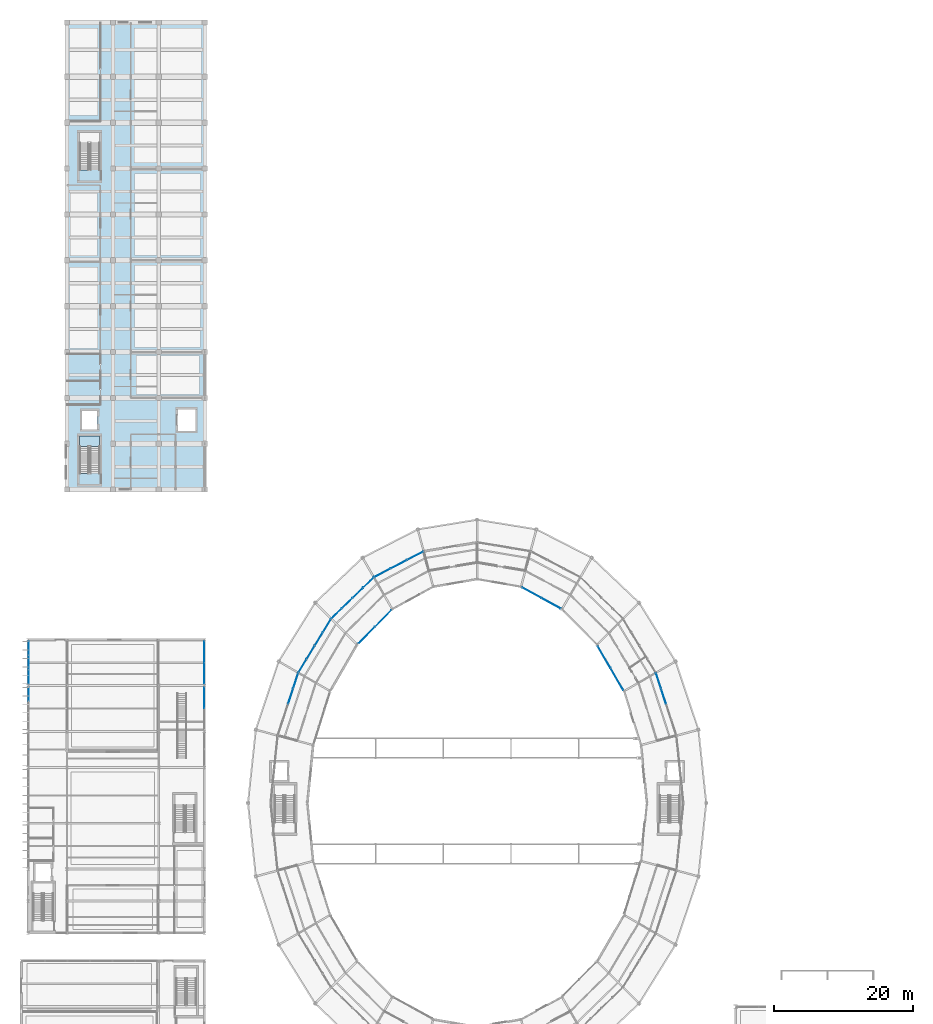
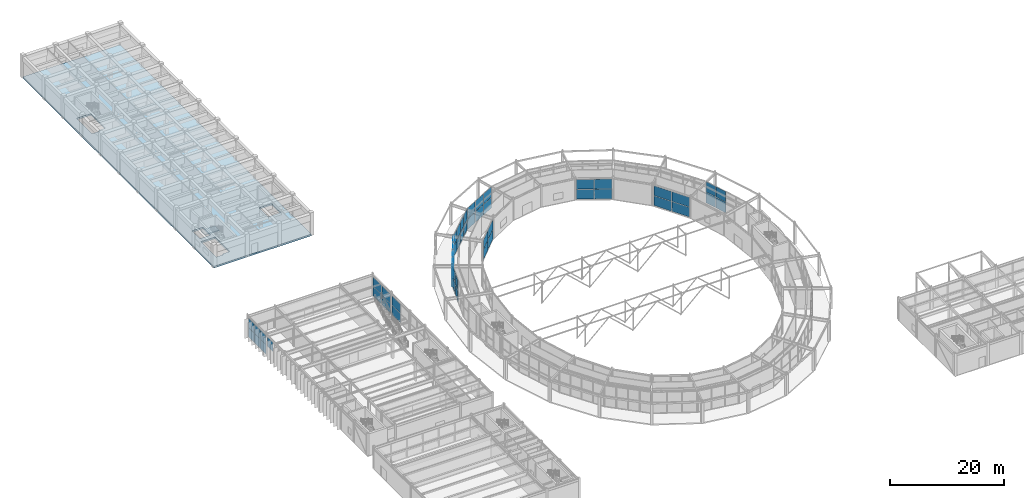
# One storey, part 103 of 144: 55 plates, 2 slabs, 13 elements without a shape of their own.
"""IFC4 building model written with IfcOpenShell, lengths in metres."""

from ifc_helpers import new_model, si_unit, direction, frame, origin, origin_2d, place, context, subcontext, project, spatial, polyline, rectangle, outline, extrude, material, layer, layer_set, type_object, element, aggregate, save


model = new_model("IFC4")

# Units and contexts
model_context = context("Model", 3, precision=1e-05, world=origin(), true_north=direction((0.0, 1.0)))
body_context = subcontext(model_context, "Body", "Model", "MODEL_VIEW")
ifc_project = project(units=[si_unit("LENGTHUNIT", "METRE"), si_unit("AREAUNIT", "SQUARE_METRE"), si_unit("VOLUMEUNIT", "CUBIC_METRE"), si_unit("PLANEANGLEUNIT", "RADIAN"), si_unit("MASSUNIT", "GRAM", prefix="KILO")], contexts=[model_context])

# Site, building, storey
site_placement = place(None, origin())
site = spatial("IfcSite", under=ifc_project, at=site_placement, CompositionType="ELEMENT")
building_placement = place(site_placement, origin())
building = spatial("IfcBuilding", under=site, at=building_placement, Name="Karori Crest Natural Sciences Institute", CompositionType="ELEMENT")
storey_placement = place(building_placement, origin())
storey = spatial("IfcBuildingStorey", under=building, at=storey_placement, Name="L00", CompositionType="ELEMENT", Elevation=0.0)

# Curtain wall, plates
ifc_material_1 = material(Name="Anodised architectural aluminium 6063-T6", Category="aluminium")
curtain_wall_type_1 = type_object("IfcCurtainWallType", Name="CWT-13", PredefinedType="NOTDEFINED", material=ifc_material_1)
curtain_wall_1_placement = place(storey_placement, origin())
curtain_wall_1 = element("IfcCurtainWall", 1, at=curtain_wall_1_placement, inside=storey, type_object=curtain_wall_type_1, Name="Curtain wall CW-0004", PredefinedType="NOTDEFINED")
ifc_material_2 = material(Name="Double low-E laminated glass", Category="glass")
ifc_layer_1 = layer(ifc_material_2, 0.02392578125, Name="Double low-E laminated glass")
ifc_layer_set_1 = layer_set([ifc_layer_1], Name="Double low-E laminated glass")
plate_type_1 = type_object("IfcPlateType", Name="CWP-01", PredefinedType="CURTAIN_PANEL", material=ifc_layer_set_1)
plate_1_placement = place(storey_placement, frame((86.525390625, 67.7294921875, 0.06005859375), z_axis=(0.0, 0.0, 1.0), x_axis=(-0.502659683982, 0.864484379326, 0.0)))
plate_1 = element("IfcPlate", 2, at=plate_1_placement, type_object=plate_type_1, Name="CW-0004 panel 1.1", PredefinedType="CURTAIN_PANEL", context=body_context, shape_type="SweptSolid", body=[
    extrude(rectangle(XDim=3.602294921875, YDim=0.02392578125, at=origin_2d()), origin(), (0.0, 0.0, 1.0), 2.0849609375),
])
plate_2_placement = place(storey_placement, frame((86.525390625, 67.7294921875, 2.205078125), z_axis=(0.0, 0.0, 1.0), x_axis=(-0.502659683982, 0.864484379326, 0.0)))
plate_2 = element("IfcPlate", 3, at=plate_2_placement, type_object=plate_type_1, Name="CW-0004 panel 1.2", PredefinedType="CURTAIN_PANEL", context=body_context, shape_type="SweptSolid", body=[
    extrude(rectangle(XDim=3.602294921875, YDim=0.02392578125, at=origin_2d()), origin(), (0.0, 0.0, 1.0), 2.0849609375),
])
plate_3_placement = place(storey_placement, frame((84.68212890625, 70.899658203125, 0.06005859375), z_axis=(0.0, 0.0, 1.0), x_axis=(-0.502659683982, 0.864484379326, 0.0)))
plate_3 = element("IfcPlate", 4, at=plate_3_placement, type_object=plate_type_1, Name="CW-0004 panel 2.1", PredefinedType="CURTAIN_PANEL", context=body_context, shape_type="SweptSolid", body=[
    extrude(rectangle(XDim=3.602294921875, YDim=0.02392578125, at=origin_2d()), origin(), (0.0, 0.0, 1.0), 2.0849609375),
])
plate_4_placement = place(storey_placement, frame((84.68212890625, 70.899658203125, 2.205078125), z_axis=(0.0, 0.0, 1.0), x_axis=(-0.502659683982, 0.864484379326, 0.0)))
plate_4 = element("IfcPlate", 5, at=plate_4_placement, type_object=plate_type_1, Name="CW-0004 panel 2.2", PredefinedType="CURTAIN_PANEL", context=body_context, shape_type="SweptSolid", body=[
    extrude(rectangle(XDim=3.602294921875, YDim=0.02392578125, at=origin_2d()), origin(), (0.0, 0.0, 1.0), 2.0849609375),
])
aggregate(curtain_wall_1, [plate_1, plate_2, plate_3, plate_4])

curtain_wall_type_2 = type_object("IfcCurtainWallType", Name="CWT-15", PredefinedType="NOTDEFINED", material=ifc_material_1)
curtain_wall_2_placement = place(storey_placement, origin())
curtain_wall_2 = element("IfcCurtainWall", 6, at=curtain_wall_2_placement, inside=storey, type_object=curtain_wall_type_2, Name="Curtain wall CW-0007", PredefinedType="NOTDEFINED")
plate_5_placement = place(storey_placement, frame((77.031005859375, 78.6435546875, 0.06005859375), z_axis=(0.0, 0.0, 1.0), x_axis=(-0.877463514084, 0.479643389875, 0.0)))
plate_5 = element("IfcPlate", 7, at=plate_5_placement, type_object=plate_type_1, Name="CW-0007 panel 1.1", PredefinedType="CURTAIN_PANEL", context=body_context, shape_type="SweptSolid", body=[
    extrude(rectangle(XDim=3.102783203125, YDim=0.02392578125, at=origin_2d()), origin(), (0.0, 0.0, 1.0), 2.0849609375),
])
plate_6_placement = place(storey_placement, frame((77.031005859375, 78.6435546875, 2.205078125), z_axis=(0.0, 0.0, 1.0), x_axis=(-0.877463514084, 0.479643389875, 0.0)))
plate_6 = element("IfcPlate", 8, at=plate_6_placement, type_object=plate_type_1, Name="CW-0007 panel 1.2", PredefinedType="CURTAIN_PANEL", context=body_context, shape_type="SweptSolid", body=[
    extrude(rectangle(XDim=3.102783203125, YDim=0.02392578125, at=origin_2d()), origin(), (0.0, 0.0, 1.0), 2.0849609375),
])
plate_7_placement = place(storey_placement, frame((74.25146484375, 80.1630859375, 0.06005859375), z_axis=(0.0, 0.0, 1.0), x_axis=(-0.877463514084, 0.479643389875, 0.0)))
plate_7 = element("IfcPlate", 9, at=plate_7_placement, type_object=plate_type_1, Name="CW-0007 panel 2.1", PredefinedType="CURTAIN_PANEL", context=body_context, shape_type="SweptSolid", body=[
    extrude(rectangle(XDim=3.102783203125, YDim=0.02392578125, at=origin_2d()), origin(), (0.0, 0.0, 1.0), 2.0849609375),
])
plate_8_placement = place(storey_placement, frame((74.25146484375, 80.1630859375, 2.205078125), z_axis=(0.0, 0.0, 1.0), x_axis=(-0.877463514084, 0.479643389875, 0.0)))
plate_8 = element("IfcPlate", 10, at=plate_8_placement, type_object=plate_type_1, Name="CW-0007 panel 2.2", PredefinedType="CURTAIN_PANEL", context=body_context, shape_type="SweptSolid", body=[
    extrude(rectangle(XDim=3.102783203125, YDim=0.02392578125, at=origin_2d()), origin(), (0.0, 0.0, 1.0), 2.0849609375),
])
aggregate(curtain_wall_2, [plate_5, plate_6, plate_7, plate_8])

curtain_wall_type_3 = type_object("IfcCurtainWallType", Name="CWT-14", PredefinedType="NOTDEFINED", material=ifc_material_1)
curtain_wall_3_placement = place(storey_placement, origin())
curtain_wall_3 = element("IfcCurtainWall", 11, at=curtain_wall_3_placement, inside=storey, type_object=curtain_wall_type_3, Name="Curtain wall CW-0011", PredefinedType="NOTDEFINED")
plate_9_placement = place(storey_placement, frame((52.892333984375, 76.4619140625, 0.06005859375), z_axis=(0.0, 0.0, 1.0), x_axis=(-0.70265631089, -0.71152941525, 0.0)))
plate_9 = element("IfcPlate", 12, at=plate_9_placement, type_object=plate_type_1, Name="CW-0011 panel 1.1", PredefinedType="CURTAIN_PANEL", context=body_context, shape_type="SweptSolid", body=[
    extrude(rectangle(XDim=3.322998046875, YDim=0.02392578125, at=origin_2d()), origin(), (0.0, 0.0, 1.0), 2.0849609375),
])
plate_10_placement = place(storey_placement, frame((52.892333984375, 76.4619140625, 2.205078125), z_axis=(0.0, 0.0, 1.0), x_axis=(-0.70265631089, -0.71152941525, 0.0)))
plate_10 = element("IfcPlate", 13, at=plate_10_placement, type_object=plate_type_1, Name="CW-0011 panel 1.2", PredefinedType="CURTAIN_PANEL", context=body_context, shape_type="SweptSolid", body=[
    extrude(rectangle(XDim=3.322998046875, YDim=0.02392578125, at=origin_2d()), origin(), (0.0, 0.0, 1.0), 2.0849609375),
])
plate_11_placement = place(storey_placement, frame((50.51171875, 74.05126953125, 0.06005859375), z_axis=(0.0, 0.0, 1.0), x_axis=(-0.70265631089, -0.71152941525, 0.0)))
plate_11 = element("IfcPlate", 14, at=plate_11_placement, type_object=plate_type_1, Name="CW-0011 panel 2.1", PredefinedType="CURTAIN_PANEL", context=body_context, shape_type="SweptSolid", body=[
    extrude(rectangle(XDim=3.322998046875, YDim=0.02392578125, at=origin_2d()), origin(), (0.0, 0.0, 1.0), 2.0849609375),
])
plate_12_placement = place(storey_placement, frame((50.51171875, 74.05126953125, 2.205078125), z_axis=(0.0, 0.0, 1.0), x_axis=(-0.70265631089, -0.71152941525, 0.0)))
plate_12 = element("IfcPlate", 15, at=plate_12_placement, type_object=plate_type_1, Name="CW-0011 panel 2.2", PredefinedType="CURTAIN_PANEL", context=body_context, shape_type="SweptSolid", body=[
    extrude(rectangle(XDim=3.322998046875, YDim=0.02392578125, at=origin_2d()), origin(), (0.0, 0.0, 1.0), 2.0849609375),
])
aggregate(curtain_wall_3, [plate_9, plate_10, plate_11, plate_12])

curtain_wall_type_4 = type_object("IfcCurtainWallType", Name="CWT-10", PredefinedType="NOTDEFINED", material=ifc_material_1)
curtain_wall_4_placement = place(storey_placement, origin())
curtain_wall_4 = element("IfcCurtainWall", 16, at=curtain_wall_4_placement, inside=storey, type_object=curtain_wall_type_4, Name="Curtain wall CW-0012", PredefinedType="NOTDEFINED")
plate_13_placement = place(storey_placement, frame((41.28662109375, 69.649658203125, 0.06005859375), z_axis=(0.0, 0.0, 1.0), x_axis=(0.519340606905, 0.854567337323, 0.0)))
plate_13 = element("IfcPlate", 17, at=plate_13_placement, type_object=plate_type_1, Name="CW-0012 panel 1.1", PredefinedType="CURTAIN_PANEL", context=body_context, shape_type="SweptSolid", body=[
    extrude(rectangle(XDim=2.149658203125, YDim=0.02392578125, at=origin_2d()), origin(), (0.0, 0.0, 1.0), 2.25),
])
plate_14_placement = place(storey_placement, frame((41.28662109375, 69.649658203125, 2.3701171875), z_axis=(0.0, 0.0, 1.0), x_axis=(0.519340606905, 0.854567337323, 0.0)))
plate_14 = element("IfcPlate", 18, at=plate_14_placement, type_object=plate_type_1, Name="CW-0012 panel 1.2", PredefinedType="CURTAIN_PANEL", context=body_context, shape_type="SweptSolid", body=[
    extrude(rectangle(XDim=2.149658203125, YDim=0.02392578125, at=origin_2d()), origin(), (0.0, 0.0, 1.0), 2.25),
])
plate_15_placement = place(storey_placement, frame((42.45166015625, 71.566650390625, 0.06005859375), z_axis=(0.0, 0.0, 1.0), x_axis=(0.519340606905, 0.854567337323, 0.0)))
plate_15 = element("IfcPlate", 19, at=plate_15_placement, type_object=plate_type_1, Name="CW-0012 panel 2.1", PredefinedType="CURTAIN_PANEL", context=body_context, shape_type="SweptSolid", body=[
    extrude(rectangle(XDim=2.18701171875, YDim=0.02392578125, at=origin_2d()), origin(), (0.0, 0.0, 1.0), 2.25),
])
plate_16_placement = place(storey_placement, frame((42.45166015625, 71.566650390625, 2.3701171875), z_axis=(0.0, 0.0, 1.0), x_axis=(0.519340606905, 0.854567337323, 0.0)))
plate_16 = element("IfcPlate", 20, at=plate_16_placement, type_object=plate_type_1, Name="CW-0012 panel 2.2", PredefinedType="CURTAIN_PANEL", context=body_context, shape_type="SweptSolid", body=[
    extrude(rectangle(XDim=2.18701171875, YDim=0.02392578125, at=origin_2d()), origin(), (0.0, 0.0, 1.0), 2.25),
])
plate_17_placement = place(storey_placement, frame((43.626220703125, 73.499755859375, 0.06005859375), z_axis=(0.0, 0.0, 1.0), x_axis=(0.519340606905, 0.854567337323, 0.0)))
plate_17 = element("IfcPlate", 21, at=plate_17_placement, type_object=plate_type_1, Name="CW-0012 panel 3.1", PredefinedType="CURTAIN_PANEL", context=body_context, shape_type="SweptSolid", body=[
    extrude(rectangle(XDim=2.18701171875, YDim=0.02392578125, at=origin_2d()), origin(), (0.0, 0.0, 1.0), 2.25),
])
plate_18_placement = place(storey_placement, frame((43.626220703125, 73.499755859375, 2.3701171875), z_axis=(0.0, 0.0, 1.0), x_axis=(0.519340606905, 0.854567337323, 0.0)))
plate_18 = element("IfcPlate", 22, at=plate_18_placement, type_object=plate_type_1, Name="CW-0012 panel 3.2", PredefinedType="CURTAIN_PANEL", context=body_context, shape_type="SweptSolid", body=[
    extrude(rectangle(XDim=2.18701171875, YDim=0.02392578125, at=origin_2d()), origin(), (0.0, 0.0, 1.0), 2.25),
])
plate_19_placement = place(storey_placement, frame((44.791259765625, 75.416748046875, 0.06005859375), z_axis=(0.0, 0.0, 1.0), x_axis=(0.519340606905, 0.854567337323, 0.0)))
plate_19 = element("IfcPlate", 23, at=plate_19_placement, type_object=plate_type_1, Name="CW-0012 panel 4.1", PredefinedType="CURTAIN_PANEL", context=body_context, shape_type="SweptSolid", body=[
    extrude(rectangle(XDim=2.149658203125, YDim=0.02392578125, at=origin_2d()), origin(), (0.0, 0.0, 1.0), 2.25),
])
plate_20_placement = place(storey_placement, frame((44.791259765625, 75.416748046875, 2.3701171875), z_axis=(0.0, 0.0, 1.0), x_axis=(0.519340606905, 0.854567337323, 0.0)))
plate_20 = element("IfcPlate", 24, at=plate_20_placement, type_object=plate_type_1, Name="CW-0012 panel 4.2", PredefinedType="CURTAIN_PANEL", context=body_context, shape_type="SweptSolid", body=[
    extrude(rectangle(XDim=2.149658203125, YDim=0.02392578125, at=origin_2d()), origin(), (0.0, 0.0, 1.0), 2.25),
])
aggregate(curtain_wall_4, [plate_13, plate_14, plate_15, plate_16, plate_17, plate_18, plate_19, plate_20])

# Curtain wall, plate
curtain_wall_type_5 = type_object("IfcCurtainWallType", Name="CWT-17", PredefinedType="NOTDEFINED", material=ifc_material_1)
curtain_wall_5_placement = place(storey_placement, origin())
curtain_wall_5 = element("IfcCurtainWall", 25, at=curtain_wall_5_placement, inside=storey, type_object=curtain_wall_type_5, Name="Curtain wall CW-0257", PredefinedType="NOTDEFINED")
plate_21_placement = place(storey_placement, frame((1.860107421875, 65.568359375, 2.1025390625), z_axis=(0.0, 0.0, 1.0), x_axis=(0.0, 1.0, 0.0)))
plate_21 = element("IfcPlate", 26, at=plate_21_placement, type_object=plate_type_1, Name="CW-0257 panel 3.2", PredefinedType="CURTAIN_PANEL", context=body_context, shape_type="SweptSolid", body=[
    extrude(rectangle(XDim=1.987060546875, YDim=0.02392578125, at=origin_2d()), origin(), (0.0, 0.0, 1.0), 1.982421875),
])
aggregate(curtain_wall_5, [plate_21])

# Curtain wall, plates
curtain_wall_6_placement = place(storey_placement, origin())
curtain_wall_6 = element("IfcCurtainWall", 27, at=curtain_wall_6_placement, inside=storey, type_object=curtain_wall_type_5, Name="Curtain wall CW-0258", PredefinedType="NOTDEFINED")
plate_22_placement = place(storey_placement, frame((1.860107421875, 68.031494140625, 0.06005859375), z_axis=(0.0, 0.0, 1.0), x_axis=(0.0, 1.0, 0.0)))
plate_22 = element("IfcPlate", 28, at=plate_22_placement, type_object=plate_type_1, Name="CW-0258 panel 1.1", PredefinedType="CURTAIN_PANEL", context=body_context, shape_type="SweptSolid", body=[
    extrude(rectangle(XDim=1.987060546875, YDim=0.02392578125, at=origin_2d()), origin(), (0.0, 0.0, 1.0), 1.982421875),
])
plate_23_placement = place(storey_placement, frame((1.860107421875, 68.031494140625, 2.1025390625), z_axis=(0.0, 0.0, 1.0), x_axis=(0.0, 1.0, 0.0)))
plate_23 = element("IfcPlate", 29, at=plate_23_placement, type_object=plate_type_1, Name="CW-0258 panel 1.2", PredefinedType="CURTAIN_PANEL", context=body_context, shape_type="SweptSolid", body=[
    extrude(rectangle(XDim=1.987060546875, YDim=0.02392578125, at=origin_2d()), origin(), (0.0, 0.0, 1.0), 1.982421875),
])
plate_24_placement = place(storey_placement, frame((1.860107421875, 70.10009765625, 0.06005859375), z_axis=(0.0, 0.0, 1.0), x_axis=(0.0, 1.0, 0.0)))
plate_24 = element("IfcPlate", 30, at=plate_24_placement, type_object=plate_type_1, Name="CW-0258 panel 2.1", PredefinedType="CURTAIN_PANEL", context=body_context, shape_type="SweptSolid", body=[
    extrude(rectangle(XDim=2.019775390625, YDim=0.02392578125, at=origin_2d()), origin(), (0.0, 0.0, 1.0), 1.982421875),
])
plate_25_placement = place(storey_placement, frame((1.860107421875, 70.10009765625, 2.1025390625), z_axis=(0.0, 0.0, 1.0), x_axis=(0.0, 1.0, 0.0)))
plate_25 = element("IfcPlate", 31, at=plate_25_placement, type_object=plate_type_1, Name="CW-0258 panel 2.2", PredefinedType="CURTAIN_PANEL", context=body_context, shape_type="SweptSolid", body=[
    extrude(rectangle(XDim=2.019775390625, YDim=0.02392578125, at=origin_2d()), origin(), (0.0, 0.0, 1.0), 1.982421875),
])
plate_26_placement = place(storey_placement, frame((1.860107421875, 72.16845703125, 0.06005859375), z_axis=(0.0, 0.0, 1.0), x_axis=(0.0, 1.0, 0.0)))
plate_26 = element("IfcPlate", 32, at=plate_26_placement, type_object=plate_type_1, Name="CW-0258 panel 3.1", PredefinedType="CURTAIN_PANEL", context=body_context, shape_type="SweptSolid", body=[
    extrude(rectangle(XDim=1.987060546875, YDim=0.02392578125, at=origin_2d()), origin(), (0.0, 0.0, 1.0), 1.982421875),
])
plate_27_placement = place(storey_placement, frame((1.860107421875, 72.16845703125, 2.1025390625), z_axis=(0.0, 0.0, 1.0), x_axis=(0.0, 1.0, 0.0)))
plate_27 = element("IfcPlate", 33, at=plate_27_placement, type_object=plate_type_1, Name="CW-0258 panel 3.2", PredefinedType="CURTAIN_PANEL", context=body_context, shape_type="SweptSolid", body=[
    extrude(rectangle(XDim=1.987060546875, YDim=0.02392578125, at=origin_2d()), origin(), (0.0, 0.0, 1.0), 1.982421875),
])
aggregate(curtain_wall_6, [plate_22, plate_23, plate_24, plate_25, plate_26, plate_27])

curtain_wall_type_6 = type_object("IfcCurtainWallType", Name="CWT-18", PredefinedType="NOTDEFINED", material=ifc_material_1)
curtain_wall_7_placement = place(storey_placement, origin())
curtain_wall_7 = element("IfcCurtainWall", 34, at=curtain_wall_7_placement, inside=storey, type_object=curtain_wall_type_6, Name="Curtain wall CW-0260", PredefinedType="NOTDEFINED")
plate_28_placement = place(storey_placement, frame((27.139892578125, 65.04736328125, 0.06005859375), z_axis=(0.0, 0.0, 1.0), x_axis=(0.0, -1.0, 0.0)))
plate_28 = element("IfcPlate", 35, at=plate_28_placement, type_object=plate_type_1, Name="CW-0260 panel 1.1", PredefinedType="CURTAIN_PANEL", context=body_context, shape_type="SweptSolid", body=[
    extrude(rectangle(XDim=3.029541015625, YDim=0.02392578125, at=origin_2d()), origin(), (0.0, 0.0, 1.0), 1.982421875),
])
plate_29_placement = place(storey_placement, frame((27.139892578125, 65.04736328125, 2.1025390625), z_axis=(0.0, 0.0, 1.0), x_axis=(0.0, -1.0, 0.0)))
plate_29 = element("IfcPlate", 36, at=plate_29_placement, type_object=plate_type_1, Name="CW-0260 panel 1.2", PredefinedType="CURTAIN_PANEL", context=body_context, shape_type="SweptSolid", body=[
    extrude(rectangle(XDim=3.029541015625, YDim=0.02392578125, at=origin_2d()), origin(), (0.0, 0.0, 1.0), 1.982421875),
])
aggregate(curtain_wall_7, [plate_28, plate_29])

curtain_wall_8_placement = place(storey_placement, origin())
curtain_wall_8 = element("IfcCurtainWall", 37, at=curtain_wall_8_placement, inside=storey, type_object=curtain_wall_type_6, Name="Curtain wall CW-0261", PredefinedType="NOTDEFINED")
plate_30_placement = place(storey_placement, frame((27.139892578125, 71.647216796875, 0.06005859375), z_axis=(0.0, 0.0, 1.0), x_axis=(0.0, -1.0, 0.0)))
plate_30 = element("IfcPlate", 38, at=plate_30_placement, type_object=plate_type_1, Name="CW-0261 panel 1.1", PredefinedType="CURTAIN_PANEL", context=body_context, shape_type="SweptSolid", body=[
    extrude(rectangle(XDim=3.029541015625, YDim=0.02392578125, at=origin_2d()), origin(), (0.0, 0.0, 1.0), 1.982421875),
])
plate_31_placement = place(storey_placement, frame((27.139892578125, 71.647216796875, 2.1025390625), z_axis=(0.0, 0.0, 1.0), x_axis=(0.0, -1.0, 0.0)))
plate_31 = element("IfcPlate", 39, at=plate_31_placement, type_object=plate_type_1, Name="CW-0261 panel 1.2", PredefinedType="CURTAIN_PANEL", context=body_context, shape_type="SweptSolid", body=[
    extrude(rectangle(XDim=3.029541015625, YDim=0.02392578125, at=origin_2d()), origin(), (0.0, 0.0, 1.0), 1.982421875),
])
plate_32_placement = place(storey_placement, frame((27.139892578125, 68.552734375, 0.06005859375), z_axis=(0.0, 0.0, 1.0), x_axis=(0.0, -1.0, 0.0)))
plate_32 = element("IfcPlate", 40, at=plate_32_placement, type_object=plate_type_1, Name="CW-0261 panel 2.1", PredefinedType="CURTAIN_PANEL", context=body_context, shape_type="SweptSolid", body=[
    extrude(rectangle(XDim=3.029541015625, YDim=0.02392578125, at=origin_2d()), origin(), (0.0, 0.0, 1.0), 1.982421875),
])
plate_33_placement = place(storey_placement, frame((27.139892578125, 68.552734375, 2.1025390625), z_axis=(0.0, 0.0, 1.0), x_axis=(0.0, -1.0, 0.0)))
plate_33 = element("IfcPlate", 41, at=plate_33_placement, type_object=plate_type_1, Name="CW-0261 panel 2.2", PredefinedType="CURTAIN_PANEL", context=body_context, shape_type="SweptSolid", body=[
    extrude(rectangle(XDim=3.029541015625, YDim=0.02392578125, at=origin_2d()), origin(), (0.0, 0.0, 1.0), 1.982421875),
])
aggregate(curtain_wall_8, [plate_30, plate_31, plate_32, plate_33])

curtain_wall_type_7 = type_object("IfcCurtainWallType", Name="CWT-02", PredefinedType="NOTDEFINED", material=ifc_material_1)
curtain_wall_9_placement = place(storey_placement, origin())
curtain_wall_9 = element("IfcCurtainWall", 42, at=curtain_wall_9_placement, inside=storey, type_object=curtain_wall_type_7, Name="Curtain wall CW-0002", PredefinedType="NOTDEFINED")
ifc_layer_2 = layer(ifc_material_2, 0.033935546875, Name="Double low-E laminated glass")
ifc_layer_set_2 = layer_set([ifc_layer_2], Name="Double low-E laminated glass")
plate_type_2 = type_object("IfcPlateType", Name="CWP-02", PredefinedType="CURTAIN_PANEL", material=ifc_layer_set_2)
plate_34_placement = place(storey_placement, frame((92.50244140625, 67.4873046875, 0.06005859375), z_axis=(0.0, 0.0, 1.0), x_axis=(0.311714013584, -0.950175969879, 0.0)))
plate_34 = element("IfcPlate", 43, at=plate_34_placement, type_object=plate_type_2, Name="CW-0002 panel 1.1", PredefinedType="CURTAIN_PANEL", context=body_context, shape_type="SweptSolid", body=[
    extrude(rectangle(XDim=2.257080078125, YDim=0.033935546875, at=origin_2d()), origin(), (0.0, 0.0, 1.0), 2.25),
])
plate_35_placement = place(storey_placement, frame((92.50244140625, 67.4873046875, 2.3701171875), z_axis=(0.0, 0.0, 1.0), x_axis=(0.311714013584, -0.950175969879, 0.0)))
plate_35 = element("IfcPlate", 44, at=plate_35_placement, type_object=plate_type_2, Name="CW-0002 panel 1.2", PredefinedType="CURTAIN_PANEL", context=body_context, shape_type="SweptSolid", body=[
    extrude(rectangle(XDim=2.257080078125, YDim=0.033935546875, at=origin_2d()), origin(), (0.0, 0.0, 1.0), 2.25),
])
plate_36_placement = place(storey_placement, frame((93.235107421875, 65.253662109375, 0.06005859375), z_axis=(0.0, 0.0, 1.0), x_axis=(0.311714013584, -0.950175969879, 0.0)))
plate_36 = element("IfcPlate", 45, at=plate_36_placement, type_object=plate_type_2, Name="CW-0002 panel 2.1", PredefinedType="CURTAIN_PANEL", context=body_context, shape_type="SweptSolid", body=[
    extrude(rectangle(XDim=2.294677734375, YDim=0.033935546875, at=origin_2d()), origin(), (0.0, 0.0, 1.0), 2.25),
])
plate_37_placement = place(storey_placement, frame((93.235107421875, 65.253662109375, 2.3701171875), z_axis=(0.0, 0.0, 1.0), x_axis=(0.311714013584, -0.950175969879, 0.0)))
plate_37 = element("IfcPlate", 46, at=plate_37_placement, type_object=plate_type_2, Name="CW-0002 panel 2.2", PredefinedType="CURTAIN_PANEL", context=body_context, shape_type="SweptSolid", body=[
    extrude(rectangle(XDim=2.294677734375, YDim=0.033935546875, at=origin_2d()), origin(), (0.0, 0.0, 1.0), 2.25),
])
aggregate(curtain_wall_9, [plate_34, plate_35, plate_36, plate_37])

curtain_wall_type_8 = type_object("IfcCurtainWallType", Name="CWT-08", PredefinedType="NOTDEFINED", material=ifc_material_1)
curtain_wall_10_placement = place(storey_placement, origin())
curtain_wall_10 = element("IfcCurtainWall", 47, at=curtain_wall_10_placement, inside=storey, type_object=curtain_wall_type_8, Name="Curtain wall CW-0009", PredefinedType="NOTDEFINED")
plate_38_placement = place(storey_placement, frame((52.772216796875, 83.01513671875, 0.06005859375), z_axis=(0.0, 0.0, 1.0), x_axis=(0.88613575858, 0.46342574094, 0.0)))
plate_38 = element("IfcPlate", 48, at=plate_38_placement, type_object=plate_type_2, Name="CW-0009 panel 1.1", PredefinedType="CURTAIN_PANEL", context=body_context, shape_type="SweptSolid", body=[
    extrude(rectangle(XDim=2.568603515625, YDim=0.033935546875, at=origin_2d()), origin(), (0.0, 0.0, 1.0), 2.25),
])
plate_39_placement = place(storey_placement, frame((52.772216796875, 83.01513671875, 2.3701171875), z_axis=(0.0, 0.0, 1.0), x_axis=(0.88613575858, 0.46342574094, 0.0)))
plate_39 = element("IfcPlate", 49, at=plate_39_placement, type_object=plate_type_2, Name="CW-0009 panel 1.2", PredefinedType="CURTAIN_PANEL", context=body_context, shape_type="SweptSolid", body=[
    extrude(rectangle(XDim=2.568603515625, YDim=0.033935546875, at=origin_2d()), origin(), (0.0, 0.0, 1.0), 2.25),
])
plate_40_placement = place(storey_placement, frame((55.131591796875, 84.2490234375, 0.06005859375), z_axis=(0.0, 0.0, 1.0), x_axis=(0.88613575858, 0.46342574094, 0.0)))
plate_40 = element("IfcPlate", 50, at=plate_40_placement, type_object=plate_type_2, Name="CW-0009 panel 2.1", PredefinedType="CURTAIN_PANEL", context=body_context, shape_type="SweptSolid", body=[
    extrude(rectangle(XDim=2.606201171875, YDim=0.033935546875, at=origin_2d()), origin(), (0.0, 0.0, 1.0), 2.25),
])
plate_41_placement = place(storey_placement, frame((55.131591796875, 84.2490234375, 2.3701171875), z_axis=(0.0, 0.0, 1.0), x_axis=(0.88613575858, 0.46342574094, 0.0)))
plate_41 = element("IfcPlate", 51, at=plate_41_placement, type_object=plate_type_2, Name="CW-0009 panel 2.2", PredefinedType="CURTAIN_PANEL", context=body_context, shape_type="SweptSolid", body=[
    extrude(rectangle(XDim=2.606201171875, YDim=0.033935546875, at=origin_2d()), origin(), (0.0, 0.0, 1.0), 2.25),
])
plate_42_placement = place(storey_placement, frame((57.49072265625, 85.48291015625, 0.06005859375), z_axis=(0.0, 0.0, 1.0), x_axis=(0.88613575858, 0.46342574094, 0.0)))
plate_42 = element("IfcPlate", 52, at=plate_42_placement, type_object=plate_type_2, Name="CW-0009 panel 3.1", PredefinedType="CURTAIN_PANEL", context=body_context, shape_type="SweptSolid", body=[
    extrude(rectangle(XDim=2.568603515625, YDim=0.033935546875, at=origin_2d()), origin(), (0.0, 0.0, 1.0), 2.25),
])
plate_43_placement = place(storey_placement, frame((57.49072265625, 85.48291015625, 2.3701171875), z_axis=(0.0, 0.0, 1.0), x_axis=(0.88613575858, 0.46342574094, 0.0)))
plate_43 = element("IfcPlate", 53, at=plate_43_placement, type_object=plate_type_2, Name="CW-0009 panel 3.2", PredefinedType="CURTAIN_PANEL", context=body_context, shape_type="SweptSolid", body=[
    extrude(rectangle(XDim=2.568603515625, YDim=0.033935546875, at=origin_2d()), origin(), (0.0, 0.0, 1.0), 2.25),
])
aggregate(curtain_wall_10, [plate_38, plate_39, plate_40, plate_41, plate_42, plate_43])

curtain_wall_type_9 = type_object("IfcCurtainWallType", Name="CWT-01", PredefinedType="NOTDEFINED", material=ifc_material_1)
curtain_wall_11_placement = place(storey_placement, origin())
curtain_wall_11 = element("IfcCurtainWall", 54, at=curtain_wall_11_placement, inside=storey, type_object=curtain_wall_type_9, Name="Curtain wall CW-0013", PredefinedType="NOTDEFINED")
plate_44_placement = place(storey_placement, frame((39.56494140625, 65.253662109375, 0.06494140625), z_axis=(0.0, 0.0, 1.0), x_axis=(0.311714013584, 0.950175969879, 0.0)))
plate_44 = element("IfcPlate", 55, at=plate_44_placement, type_object=plate_type_2, Name="CW-0013 panel 3.1", PredefinedType="CURTAIN_PANEL", context=body_context, shape_type="SweptSolid", body=[
    extrude(rectangle(XDim=2.294677734375, YDim=0.033935546875, at=origin_2d()), origin(), (0.0, 0.0, 1.0), 2.242431640625),
])
plate_45_placement = place(storey_placement, frame((39.56494140625, 65.253662109375, 2.37255859375), z_axis=(0.0, 0.0, 1.0), x_axis=(0.311714013584, 0.950175969879, 0.0)))
plate_45 = element("IfcPlate", 56, at=plate_45_placement, type_object=plate_type_2, Name="CW-0013 panel 3.2", PredefinedType="CURTAIN_PANEL", context=body_context, shape_type="SweptSolid", body=[
    extrude(rectangle(XDim=2.294677734375, YDim=0.033935546875, at=origin_2d()), origin(), (0.0, 0.0, 1.0), 2.242431640625),
])
plate_46_placement = place(storey_placement, frame((40.297607421875, 67.4873046875, 0.06494140625), z_axis=(0.0, 0.0, 1.0), x_axis=(0.311714013584, 0.950175969879, 0.0)))
plate_46 = element("IfcPlate", 57, at=plate_46_placement, type_object=plate_type_2, Name="CW-0013 panel 4.1", PredefinedType="CURTAIN_PANEL", context=body_context, shape_type="SweptSolid", body=[
    extrude(rectangle(XDim=2.257080078125, YDim=0.033935546875, at=origin_2d()), origin(), (0.0, 0.0, 1.0), 2.242431640625),
])
plate_47_placement = place(storey_placement, frame((40.297607421875, 67.4873046875, 2.37255859375), z_axis=(0.0, 0.0, 1.0), x_axis=(0.311714013584, 0.950175969879, 0.0)))
plate_47 = element("IfcPlate", 58, at=plate_47_placement, type_object=plate_type_2, Name="CW-0013 panel 4.2", PredefinedType="CURTAIN_PANEL", context=body_context, shape_type="SweptSolid", body=[
    extrude(rectangle(XDim=2.257080078125, YDim=0.033935546875, at=origin_2d()), origin(), (0.0, 0.0, 1.0), 2.242431640625),
])
aggregate(curtain_wall_11, [plate_44, plate_45, plate_46, plate_47])

curtain_wall_type_10 = type_object("IfcCurtainWallType", Name="CWT-09", PredefinedType="NOTDEFINED", material=ifc_material_1)
curtain_wall_12_placement = place(storey_placement, origin())
curtain_wall_12 = element("IfcCurtainWall", 59, at=curtain_wall_12_placement, inside=storey, type_object=curtain_wall_type_10, Name="Curtain wall CW-0010", PredefinedType="NOTDEFINED")
ifc_layer_3 = layer(ifc_material_2, 0.0439453125, Name="Double low-E laminated glass")
ifc_layer_set_3 = layer_set([ifc_layer_3], Name="Double low-E laminated glass")
plate_type_3 = type_object("IfcPlateType", Name="CWP-03", PredefinedType="CURTAIN_PANEL", material=ifc_layer_set_3)
plate_48_placement = place(storey_placement, frame((46.192138671875, 77.184814453125, 0.06494140625), z_axis=(0.0, 0.0, 1.0), x_axis=(0.718197901752, 0.695838899401, 0.0)))
plate_48 = element("IfcPlate", 60, at=plate_48_placement, type_object=plate_type_3, Name="CW-0010 panel 1.1", PredefinedType="CURTAIN_PANEL", context=body_context, shape_type="SweptSolid", body=[
    extrude(rectangle(XDim=2.0185546875, YDim=0.0439453125, at=origin_2d()), origin(), (0.0, 0.0, 1.0), 2.242431640625),
])
plate_49_placement = place(storey_placement, frame((46.192138671875, 77.184814453125, 2.37255859375), z_axis=(0.0, 0.0, 1.0), x_axis=(0.718197901752, 0.695838899401, 0.0)))
plate_49 = element("IfcPlate", 61, at=plate_49_placement, type_object=plate_type_3, Name="CW-0010 panel 1.2", PredefinedType="CURTAIN_PANEL", context=body_context, shape_type="SweptSolid", body=[
    extrude(rectangle(XDim=2.0185546875, YDim=0.0439453125, at=origin_2d()), origin(), (0.0, 0.0, 1.0), 2.242431640625),
])
plate_50_placement = place(storey_placement, frame((47.709228515625, 78.65478515625, 0.06494140625), z_axis=(0.0, 0.0, 1.0), x_axis=(0.718197901752, 0.695838899401, 0.0)))
plate_50 = element("IfcPlate", 62, at=plate_50_placement, type_object=plate_type_3, Name="CW-0010 panel 2.1", PredefinedType="CURTAIN_PANEL", context=body_context, shape_type="SweptSolid", body=[
    extrude(rectangle(XDim=2.05615234375, YDim=0.0439453125, at=origin_2d()), origin(), (0.0, 0.0, 1.0), 2.242431640625),
])
plate_51_placement = place(storey_placement, frame((47.709228515625, 78.65478515625, 2.37255859375), z_axis=(0.0, 0.0, 1.0), x_axis=(0.718197901752, 0.695838899401, 0.0)))
plate_51 = element("IfcPlate", 63, at=plate_51_placement, type_object=plate_type_3, Name="CW-0010 panel 2.2", PredefinedType="CURTAIN_PANEL", context=body_context, shape_type="SweptSolid", body=[
    extrude(rectangle(XDim=2.05615234375, YDim=0.0439453125, at=origin_2d()), origin(), (0.0, 0.0, 1.0), 2.242431640625),
])
plate_52_placement = place(storey_placement, frame((49.23974609375, 80.1376953125, 0.06494140625), z_axis=(0.0, 0.0, 1.0), x_axis=(0.718197901752, 0.695838899401, 0.0)))
plate_52 = element("IfcPlate", 64, at=plate_52_placement, type_object=plate_type_3, Name="CW-0010 panel 3.1", PredefinedType="CURTAIN_PANEL", context=body_context, shape_type="SweptSolid", body=[
    extrude(rectangle(XDim=2.05615234375, YDim=0.0439453125, at=origin_2d()), origin(), (0.0, 0.0, 1.0), 2.242431640625),
])
plate_53_placement = place(storey_placement, frame((49.23974609375, 80.1376953125, 2.37255859375), z_axis=(0.0, 0.0, 1.0), x_axis=(0.718197901752, 0.695838899401, 0.0)))
plate_53 = element("IfcPlate", 65, at=plate_53_placement, type_object=plate_type_3, Name="CW-0010 panel 3.2", PredefinedType="CURTAIN_PANEL", context=body_context, shape_type="SweptSolid", body=[
    extrude(rectangle(XDim=2.05615234375, YDim=0.0439453125, at=origin_2d()), origin(), (0.0, 0.0, 1.0), 2.242431640625),
])
plate_54_placement = place(storey_placement, frame((50.7568359375, 81.607666015625, 0.06494140625), z_axis=(0.0, 0.0, 1.0), x_axis=(0.718197901752, 0.695838899401, 0.0)))
plate_54 = element("IfcPlate", 66, at=plate_54_placement, type_object=plate_type_3, Name="CW-0010 panel 4.1", PredefinedType="CURTAIN_PANEL", context=body_context, shape_type="SweptSolid", body=[
    extrude(rectangle(XDim=2.0185546875, YDim=0.0439453125, at=origin_2d()), origin(), (0.0, 0.0, 1.0), 2.242431640625),
])
plate_55_placement = place(storey_placement, frame((50.7568359375, 81.607666015625, 2.37255859375), z_axis=(0.0, 0.0, 1.0), x_axis=(0.718197901752, 0.695838899401, 0.0)))
plate_55 = element("IfcPlate", 67, at=plate_55_placement, type_object=plate_type_3, Name="CW-0010 panel 4.2", PredefinedType="CURTAIN_PANEL", context=body_context, shape_type="SweptSolid", body=[
    extrude(rectangle(XDim=2.0185546875, YDim=0.0439453125, at=origin_2d()), origin(), (0.0, 0.0, 1.0), 2.242431640625),
])
aggregate(curtain_wall_12, [plate_48, plate_49, plate_50, plate_51, plate_52, plate_53, plate_54, plate_55])

# Slab
ifc_material_3 = material(Name="Concrete 50 MPa", Category="concrete")
ifc_layer_4 = layer(ifc_material_3, 0.35009765625, Name="Concrete 50 MPa")
ifc_layer_set_4 = layer_set([ifc_layer_4], Name="Concrete 50 MPa")
slab_type_1 = type_object("IfcSlabType", Name="SLT-03", PredefinedType="FLOOR", material=ifc_layer_set_4)
slab_1_placement = place(storey_placement, frame((0.0, 0.0, -0.35009765625)))
element("IfcSlab", 68, at=slab_1_placement, inside=storey, type_object=slab_type_1, Name="V4 Slab SL-0152", PredefinedType="FLOOR", context=body_context, shape_type="SweptSolid", body=[
    extrude(outline(polyline([(7.39990234375, 95.0), (27.199951171875, 95.0), (27.199951171875, 162.199951171875), (7.39990234375, 162.199951171875), (7.39990234375, 95.0)]), holes=[polyline([(12.10009765625, 97.580078125), (10.64990234375, 97.580078125), (10.64990234375, 97.300537109375), (9.199951171875, 97.300537109375), (9.199951171875, 102.699951171875), (12.10009765625, 102.699951171875), (12.10009765625, 97.580078125)]), polyline([(12.10009765625, 141.280029296875), (10.64990234375, 141.280029296875), (10.64990234375, 141.00048828125), (9.199951171875, 141.00048828125), (9.199951171875, 146.39990234375), (12.10009765625, 146.39990234375), (12.10009765625, 141.280029296875)]), polyline([(9.52490234375, 106.375), (11.77490234375, 106.375), (11.77490234375, 103.625), (9.52490234375, 103.625), (9.52490234375, 106.375)]), polyline([(23.300048828125, 106.60009765625), (25.89990234375, 106.60009765625), (25.89990234375, 103.39990234375), (23.300048828125, 103.39990234375), (23.300048828125, 106.60009765625)])]), origin(), (0.0, 0.0, 1.0), 0.35009765625),
])

# Stair, slab
ifc_material_4 = material(Name="Concrete 40 MPa", Category="concrete")
stair_type = type_object("IfcStairType", Name="STT-02", PredefinedType="HALF_TURN_STAIR", material=ifc_material_4)
stair_placement = place(storey_placement, origin())
stair = element("IfcStair", 69, at=stair_placement, inside=storey, type_object=stair_type, Name="Protected stair ST-05-L00", PredefinedType="HALF_TURN_STAIR")
ifc_layer_5 = layer(ifc_material_4, 0.2099609375, Name="Concrete 40 MPa")
ifc_layer_set_5 = layer_set([ifc_layer_5], Name="Concrete 40 MPa")
slab_type_2 = type_object("IfcSlabType", Name="SLT-11", PredefinedType="LANDING", material=ifc_layer_set_5)
slab_2_placement = place(storey_placement, frame((0.0, 0.0, 2.239990234375)))
slab_2 = element("IfcSlab", 70, at=slab_2_placement, type_object=slab_type_2, Name="ST-05-L00 landing 1", PredefinedType="LANDING", context=body_context, shape_type="SweptSolid", body=[
    extrude(outline(polyline([(12.10009765625, 101.199951171875), (12.10009765625, 102.699951171875), (9.199951171875, 102.699951171875), (9.199951171875, 101.199951171875), (12.10009765625, 101.199951171875)])), origin(), (0.0, 0.0, 1.0), 0.2099609375),
])
aggregate(stair, [slab_2])

save(model, "model.ifc")
